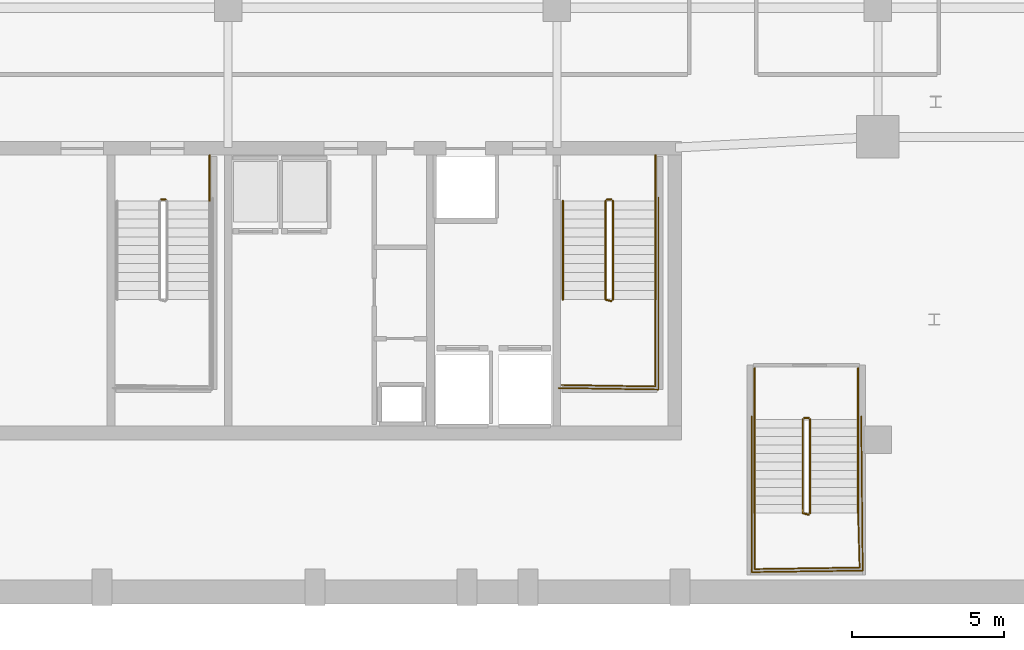
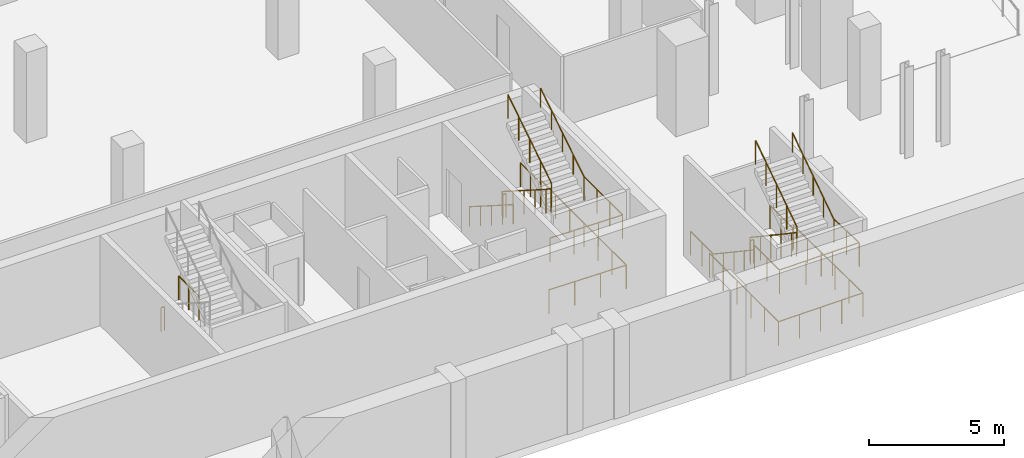
# One storey, part 15 of 18: 19 railings.
"""IFC4 building model written with IfcOpenShell, lengths in metres."""

import ifcopenshell
import ifcopenshell.guid

model = None  # the IFC model being written
_history = None  # IfcOwnerHistory: only IFC2X3 demands one
_inside = {}  # id of a spatial element -> (the spatial element, [elements in it])
_under = {}  # id of a project, library or spatial element -> (it, [spatial elements below it])
_declared = {}  # id of a project -> (the project, [libraries it declares])
_typed = {}  # id of a type object -> (the type object, [elements of that type])
_made_of = {}  # id of a material, layer set ... -> (it, [elements and type objects made of it])


def new_model(schema):
    """Start an empty IFC model of exactly this schema.

    Asked for "IFC4X3", IfcOpenShell would pick the latest addendum, in which some entities
    have other attributes; the version numbers below select the first issue.
    IFC2X3 requires an IfcOwnerHistory on every rooted entity: one is made here for all.
    """
    global model, _history
    if schema == "IFC4X3":
        model = ifcopenshell.file(schema_version=(4, 3, 0, 0))
    else:
        model = ifcopenshell.file(schema=schema)
    _inside.clear()
    _under.clear()
    _declared.clear()
    _typed.clear()
    _made_of.clear()
    _history = None
    if model.schema == "IFC2X3":
        org = make("IfcOrganization", Name="unknown")
        user = make(
            "IfcPersonAndOrganization",
            ThePerson=make("IfcPerson", FamilyName="unknown"),
            TheOrganization=org,
        )
        app = make(
            "IfcApplication",
            ApplicationDeveloper=org,
            Version="unknown",
            ApplicationFullName="unknown",
            ApplicationIdentifier="unknown",
        )
        _history = make(
            "IfcOwnerHistory",
            OwningUser=user,
            OwningApplication=app,
            ChangeAction="ADDED",
            CreationDate=0,
        )
    return model


def make(cls, **values):
    """One entity of the class cls with the attributes given. An attribute that is None is left unset."""
    return model.create_entity(
        cls, **{name: value for name, value in values.items() if value is not None}
    )


def rooted(cls, **values):
    """An entity with a GlobalId (a new one), such as an element, a storey or a relation."""
    return make(cls, GlobalId=ifcopenshell.guid.new(), OwnerHistory=_history, **values)


def si_unit(unit_type, name, prefix=None):
    """IfcSIUnit, for example si_unit("LENGTHUNIT", "METRE", prefix="MILLI")."""
    return make("IfcSIUnit", UnitType=unit_type, Prefix=prefix, Name=name)


def assignment(units):
    """IfcUnitAssignment: the units of a project."""
    return None if units is None else make("IfcUnitAssignment", Units=units)


def point(xyz):
    """IfcCartesianPoint."""
    return None if xyz is None else make("IfcCartesianPoint", Coordinates=xyz)


def direction(xyz):
    """IfcDirection."""
    return None if xyz is None else make("IfcDirection", DirectionRatios=xyz)


def frame(location, z_axis=None, x_axis=None):
    """IfcAxis2Placement3D, a coordinate frame: its origin and axes. An axis left out is left unset."""
    return make(
        "IfcAxis2Placement3D",
        Location=point(location),
        Axis=direction(z_axis),
        RefDirection=direction(x_axis),
    )


def frame_2d(location, x_axis=None):
    """IfcAxis2Placement2D, a coordinate frame in the plane: its origin and x axis."""
    return make(
        "IfcAxis2Placement2D", Location=point(location), RefDirection=direction(x_axis)
    )


def origin():
    """The frame at (0, 0, 0) with its axes left unset."""
    return frame((0.0, 0.0, 0.0))


def origin_2d():
    """The frame at (0, 0) in the plane with its x axis left unset."""
    return frame_2d((0.0, 0.0))


def place(relative_to, where):
    """IfcLocalPlacement: puts the frame where relative to a parent placement (None: the world)."""
    return make(
        "IfcLocalPlacement", PlacementRelTo=relative_to, RelativePlacement=where
    )


def context(
    kind, dimensions, precision=None, world=None, true_north=None, identifier=None
):
    """IfcGeometricRepresentationContext, for example the 3D "Model" context."""
    return make(
        "IfcGeometricRepresentationContext",
        ContextIdentifier=identifier,
        ContextType=kind,
        CoordinateSpaceDimension=dimensions,
        Precision=precision,
        WorldCoordinateSystem=world,
        TrueNorth=true_north,
    )


def subcontext(parent, identifier, kind, view, scale=None):
    """IfcGeometricRepresentationSubContext, for example "Body" below "Model"."""
    return make(
        "IfcGeometricRepresentationSubContext",
        ContextIdentifier=identifier,
        ContextType=kind,
        ParentContext=parent,
        TargetScale=scale,
        TargetView=view,
    )


def project(units=None, contexts=None):
    """IfcProject with its units and contexts."""
    return rooted(
        "IfcProject",
        Name="project",
        RepresentationContexts=contexts,
        UnitsInContext=assignment(units),
    )


def spatial(cls, under=None, at=None, **own):
    """A site, building, storey or space (cls), placed at a placement, below another one or the project."""
    s = rooted(cls, ObjectPlacement=at, **own)
    if under is not None:
        _under.setdefault(under.id(), (under, []))[1].append(s)
    return s


def profile(cls, at=None, kind="AREA", **sizes):
    """A parametric profile (cls). Its sizes go by their IFC names, for example OverallWidth=200.0."""
    return make(cls, ProfileType=kind, Position=at, **sizes)


def circle(**sizes):
    """IfcCircleProfileDef."""
    return profile("IfcCircleProfileDef", **sizes)


def extrude(swept, where, along, depth):
    """IfcExtrudedAreaSolid: the profile swept, set in the frame where, extruded along a direction by depth."""
    return make(
        "IfcExtrudedAreaSolid",
        SweptArea=swept,
        Position=where,
        ExtrudedDirection=direction(along),
        Depth=depth,
    )


def shape(context_of_items, identifier, shape_type, items):
    """IfcShapeRepresentation: the items that make up one representation, for example the "Body"."""
    return make(
        "IfcShapeRepresentation",
        ContextOfItems=context_of_items,
        RepresentationIdentifier=identifier,
        RepresentationType=shape_type,
        Items=items,
    )


def material(Name=None, Category=None):
    """IfcMaterial."""
    return make("IfcMaterial", Name=Name, Category=Category)


def layer(
    of_material, thickness, ventilated=None, Name=None, Category=None, Priority=None
):
    """IfcMaterialLayer: one layer of a wall or slab, of a material (None: an air gap)."""
    return make(
        "IfcMaterialLayer",
        Material=of_material,
        LayerThickness=thickness,
        IsVentilated=ventilated,
        Name=Name,
        Category=Category,
        Priority=Priority,
    )


def layer_set(layers, Name=None):
    """IfcMaterialLayerSet."""
    return make("IfcMaterialLayerSet", MaterialLayers=layers, LayerSetName=Name)


def made_of(thing, what):
    """Note that an element or type object is made of a material, layer set ...; save() writes the relation."""
    if what is not None:
        _made_of.setdefault(what.id(), (what, []))[1].append(thing)
    return thing


def type_object(cls, material=None, **own):
    """A type object (cls), such as IfcWallType, which elements share."""
    return made_of(rooted(cls, **own), material)


def element(
    cls,
    number,
    at=None,
    inside=None,
    cuts=None,
    type_object=None,
    material=None,
    context=None,
    identifier="Body",
    shape_type=None,
    held_by="IfcProductDefinitionShape",
    body=None,
    shapes=None,
    **own,
):
    """One element of the class cls, such as IfcWall. Its Tag is "e" and its number.

    at: its placement. inside: the storey or other place that contains it. cuts: it is an
    opening in that element (IfcRelVoidsElement). A single representation is given by context,
    identifier, shape_type and body (its items); several are given by shapes. held_by: the class
    of the entity that holds the representations. save() writes the other relations.
    """
    e = rooted(cls, Tag="e%d" % number, ObjectPlacement=at, **own)
    if body is not None:
        shapes = [shape(context, identifier, shape_type, body)]
    if shapes is not None:
        e.Representation = make(held_by, Representations=shapes)
    if inside is not None:
        _inside.setdefault(inside.id(), (inside, []))[1].append(e)
    if cuts is not None:
        rooted(
            "IfcRelVoidsElement", RelatingBuildingElement=cuts, RelatedOpeningElement=e
        )
    if type_object is not None:
        _typed.setdefault(type_object.id(), (type_object, []))[1].append(e)
    return made_of(e, material)


def aggregate(whole, parts):
    """IfcRelAggregates: a whole, such as a stair, and the parts it consists of."""
    return rooted("IfcRelAggregates", RelatingObject=whole, RelatedObjects=parts)


def save(model, path):
    """Write the relations noted so far, then the file.

    IfcRelAggregates (storeys below a building ...), IfcRelContainedInSpatialStructure (elements
    in a storey), IfcRelDefinesByType, IfcRelAssociatesMaterial and IfcRelDeclares: one each for
    every whole, place, type object, material and project.
    """
    for whole, parts in _under.values():
        aggregate(whole, parts)
    for where, things in _inside.values():
        rooted(
            "IfcRelContainedInSpatialStructure",
            RelatedElements=things,
            RelatingStructure=where,
        )
    for kind, things in _typed.values():
        rooted("IfcRelDefinesByType", RelatedObjects=things, RelatingType=kind)
    for what, things in _made_of.values():
        rooted("IfcRelAssociatesMaterial", RelatedObjects=things, RelatingMaterial=what)
    for by, libraries in _declared.values():
        rooted("IfcRelDeclares", RelatingContext=by, RelatedDefinitions=libraries)
    model.write(path)


model = new_model("IFC4")

# Units and contexts
model_context = context("Model", 3, precision=1e-05, world=origin(), true_north=direction((0.0, 1.0)))
body_context = subcontext(model_context, "Body", "Model", "MODEL_VIEW")
ifc_project = project(units=[si_unit("LENGTHUNIT", "METRE"), si_unit("AREAUNIT", "SQUARE_METRE"), si_unit("VOLUMEUNIT", "CUBIC_METRE"), si_unit("PLANEANGLEUNIT", "RADIAN"), si_unit("MASSUNIT", "GRAM", prefix="KILO")], contexts=[model_context])

# Site, building, storey
site_placement = place(None, origin())
site = spatial("IfcSite", under=ifc_project, at=site_placement, CompositionType="ELEMENT")
building_placement = place(site_placement, origin())
building = spatial("IfcBuilding", under=site, at=building_placement, Name="Ndaravel Arena Tower", CompositionType="ELEMENT")
storey_placement = place(building_placement, frame((0.0, 0.0, -4.5)))
storey = spatial("IfcBuildingStorey", under=building, at=storey_placement, Name="B01", CompositionType="ELEMENT", Elevation=-4.5)

# Railings
ifc_material_1 = material(Name="Steel S355", Category="steel")
ifc_layer_1 = layer(ifc_material_1, 0.06005859375)
ifc_layer_set_1 = layer_set([ifc_layer_1], Name="Steel S355")
railing_type_1 = type_object("IfcRailingType", Name="RAIL-STAIR-GD1100", PredefinedType="GUARDRAIL", material=ifc_layer_set_1)
railing_1_placement = place(storey_placement, frame((40.449951171875, 13.300048828125, 0.0)))
element("IfcRailing", 1, at=railing_1_placement, inside=storey, type_object=railing_type_1, Name="B01 ST-2 stair guard 4", PredefinedType="GUARDRAIL", context=body_context, shape_type="SweptSolid", body=[
    extrude(circle(Radius=0.02392578125, at=origin_2d()), frame((0.0, 0.0, 1.076171875), z_axis=(1.0, 0.0, 0.0), x_axis=(0.0, 1.0, 0.0)), (0.0, 0.0, 1.0), 0.14013671875),
    extrude(circle(Radius=0.02099609375, at=origin_2d()), origin(), (0.0, 0.0, 1.0), 1.052001953125),
    extrude(circle(Radius=0.02099609375, at=origin_2d()), frame((0.14013671875, 0.0, 0.0)), (0.0, 0.0, 1.0), 1.052001953125),
])
railing_2_placement = place(storey_placement, frame((42.0400390625, 14.75, 0.0)))
element("IfcRailing", 2, at=railing_2_placement, inside=storey, type_object=railing_type_1, Name="B01 ST-2 stair guard 5", PredefinedType="GUARDRAIL", context=body_context, shape_type="SweptSolid", body=[
    extrude(circle(Radius=0.02392578125, at=origin_2d()), frame((0.0, 0.0, 1.076171875), z_axis=(0.0, -1.0, 0.0), x_axis=(1.0, 0.0, 0.0)), (0.0, 0.0, 1.0), 1.5),
    extrude(circle(Radius=0.02099609375, at=origin_2d()), origin(), (0.0, 0.0, 1.0), 1.052001953125),
    extrude(circle(Radius=0.02099609375, at=origin_2d()), frame((0.0, -0.75, 0.0)), (0.0, 0.0, 1.0), 1.052001953125),
    extrude(circle(Radius=0.02099609375, at=origin_2d()), frame((0.0, -1.5, 0.0)), (0.0, 0.0, 1.0), 1.052001953125),
])
railing_3_placement = place(storey_placement, frame((55.050048828125, 13.25, 0.1875)))
element("IfcRailing", 3, at=railing_3_placement, inside=storey, type_object=railing_type_1, Name="B01 ST-3 stair guard 1", PredefinedType="GUARDRAIL", context=body_context, shape_type="SweptSolid", body=[
    extrude(circle(Radius=0.02392578125, at=origin_2d()), frame((0.0, 0.0, 1.076171875), z_axis=(0.0, -0.843964631203, 0.536398826693), x_axis=(1.0, 0.0, 0.0)), (0.0, 0.0, 1.0), 3.844970703125),
    extrude(circle(Radius=0.02392578125, at=origin_2d()), frame((0.0, -3.2451171875, 3.138671875), z_axis=(0.967299629482, -0.253636406702, 0.0), x_axis=(0.253636406702, 0.967299629482, 0.0)), (0.0, 0.0, 1.0), 0.1962890625),
    extrude(circle(Radius=0.02099609375, at=origin_2d()), origin(), (0.0, 0.0, 1.0), 1.052001953125),
    extrude(circle(Radius=0.02099609375, at=origin_2d()), frame((0.0, -0.811279296875, 0.515625)), (0.0, 0.0, 1.0), 1.052001953125),
    extrude(circle(Radius=0.02099609375, at=origin_2d()), frame((0.0, -1.62255859375, 1.03125)), (0.0, 0.0, 1.0), 1.052001953125),
    extrude(circle(Radius=0.02099609375, at=origin_2d()), frame((0.0, -2.433837890625, 1.546875)), (0.0, 0.0, 1.0), 1.052001953125),
    extrude(circle(Radius=0.02099609375, at=origin_2d()), frame((0.0, -3.2451171875, 2.0625)), (0.0, 0.0, 1.0), 1.052001953125),
    extrude(circle(Radius=0.02099609375, at=origin_2d()), frame((0.18994140625, -3.294921875, 2.0625)), (0.0, 0.0, 1.0), 1.052001953125),
])
railing_4_placement = place(storey_placement, frame((56.68994140625, 10.0048828125, 2.25)))
element("IfcRailing", 4, at=railing_4_placement, inside=storey, type_object=railing_type_1, Name="B01 ST-3 stair guard 2", PredefinedType="GUARDRAIL", context=body_context, shape_type="SweptSolid", body=[
    extrude(circle(Radius=0.02392578125, at=origin_2d()), frame((0.0, 0.0, 1.076171875), z_axis=(0.0, -1.0, 0.0), x_axis=(1.0, 0.0, 0.0)), (0.0, 0.0, 1.0), 2.85498046875),
    extrude(circle(Radius=0.02392578125, at=origin_2d()), frame((0.0, -2.85498046875, 1.076171875), z_axis=(-0.999868840623, 0.016195726322, 0.0), x_axis=(-0.016195726322, -0.999868840623, 0.0)), (0.0, 0.0, 1.0), 3.09033203125),
    extrude(circle(Radius=0.02099609375, at=origin_2d()), origin(), (0.0, 0.0, 1.0), 1.052001953125),
    extrude(circle(Radius=0.02099609375, at=origin_2d()), frame((0.0, -0.95166015625, 0.0)), (0.0, 0.0, 1.0), 1.052001953125),
    extrude(circle(Radius=0.02099609375, at=origin_2d()), frame((0.0, -1.9033203125, 0.0)), (0.0, 0.0, 1.0), 1.052001953125),
    extrude(circle(Radius=0.02099609375, at=origin_2d()), frame((0.0, -2.85498046875, 0.0)), (0.0, 0.0, 1.0), 1.052001953125),
    extrude(circle(Radius=0.02099609375, at=origin_2d()), frame((-1.030029296875, -2.83837890625, 0.0)), (0.0, 0.0, 1.0), 1.052001953125),
    extrude(circle(Radius=0.02099609375, at=origin_2d()), frame((-2.059814453125, -2.821533203125, 0.0)), (0.0, 0.0, 1.0), 1.052001953125),
    extrude(circle(Radius=0.02099609375, at=origin_2d()), frame((-3.08984375, -2.804931640625, 0.0)), (0.0, 0.0, 1.0), 1.052001953125),
])
railing_5_placement = place(storey_placement, frame((55.2900390625, 10.0048828125, 2.4375)))
element("IfcRailing", 5, at=railing_5_placement, inside=storey, type_object=railing_type_1, Name="B01 ST-3 stair guard 3", PredefinedType="GUARDRAIL", context=body_context, shape_type="SweptSolid", body=[
    extrude(circle(Radius=0.02392578125, at=origin_2d()), frame((0.0, 0.0, 1.076171875), z_axis=(0.0, 0.843964631203, 0.536398826693), x_axis=(-1.0, 0.0, 0.0)), (0.0, 0.0, 1.0), 3.844970703125),
    extrude(circle(Radius=0.02099609375, at=origin_2d()), origin(), (0.0, 0.0, 1.0), 1.052001953125),
    extrude(circle(Radius=0.02099609375, at=origin_2d()), frame((0.0, 0.811279296875, 0.515625)), (0.0, 0.0, 1.0), 1.052001953125),
    extrude(circle(Radius=0.02099609375, at=origin_2d()), frame((0.0, 1.62255859375, 1.03125)), (0.0, 0.0, 1.0), 1.052001953125),
    extrude(circle(Radius=0.02099609375, at=origin_2d()), frame((0.0, 2.433837890625, 1.546875)), (0.0, 0.0, 1.0), 1.052001953125),
    extrude(circle(Radius=0.02099609375, at=origin_2d()), frame((0.0, 3.2451171875, 2.0625)), (0.0, 0.0, 1.0), 1.052001953125),
])
railing_6_placement = place(storey_placement, frame((55.10009765625, 13.300048828125, 0.0)))
element("IfcRailing", 6, at=railing_6_placement, inside=storey, type_object=railing_type_1, Name="B01 ST-3 stair guard 4", PredefinedType="GUARDRAIL", context=body_context, shape_type="SweptSolid", body=[
    extrude(circle(Radius=0.02392578125, at=origin_2d()), frame((0.0, 0.0, 1.076171875), z_axis=(1.0, 0.0, 0.0), x_axis=(0.0, 1.0, 0.0)), (0.0, 0.0, 1.0), 0.139892578125),
    extrude(circle(Radius=0.02099609375, at=origin_2d()), origin(), (0.0, 0.0, 1.0), 1.052001953125),
    extrude(circle(Radius=0.02099609375, at=origin_2d()), frame((0.139892578125, 0.0, 0.0)), (0.0, 0.0, 1.0), 1.052001953125),
])
railing_7_placement = place(storey_placement, frame((56.68994140625, 14.75, 0.0)))
element("IfcRailing", 7, at=railing_7_placement, inside=storey, type_object=railing_type_1, Name="B01 ST-3 stair guard 5", PredefinedType="GUARDRAIL", context=body_context, shape_type="SweptSolid", body=[
    extrude(circle(Radius=0.02392578125, at=origin_2d()), frame((0.0, 0.0, 1.076171875), z_axis=(0.0, -1.0, 0.0), x_axis=(1.0, 0.0, 0.0)), (0.0, 0.0, 1.0), 1.5),
    extrude(circle(Radius=0.02099609375, at=origin_2d()), origin(), (0.0, 0.0, 1.0), 1.052001953125),
    extrude(circle(Radius=0.02099609375, at=origin_2d()), frame((0.0, -0.75, 0.0)), (0.0, 0.0, 1.0), 1.052001953125),
    extrude(circle(Radius=0.02099609375, at=origin_2d()), frame((0.0, -1.5, 0.0)), (0.0, 0.0, 1.0), 1.052001953125),
])
railing_8_placement = place(storey_placement, frame((56.7900390625, 13.35009765625, 0.0)))
element("IfcRailing", 8, at=railing_8_placement, inside=storey, type_object=railing_type_1, Name="B01 ST-3 stair guard 6", PredefinedType="GUARDRAIL", context=body_context, shape_type="SweptSolid", body=[
    extrude(circle(Radius=0.02392578125, at=origin_2d()), frame((0.0, 0.0, 1.076171875), z_axis=(0.0, -1.0, 0.0), x_axis=(1.0, 0.0, 0.0)), (0.0, 0.0, 1.0), 6.300048828125),
    extrude(circle(Radius=0.02392578125, at=origin_2d()), frame((0.0, -6.300048828125, 1.076171875), z_axis=(-0.99988431412, 0.015210469308, 0.0), x_axis=(-0.015210469308, -0.99988431412, 0.0)), (0.0, 0.0, 1.0), 3.29052734375),
    extrude(circle(Radius=0.02099609375, at=origin_2d()), origin(), (0.0, 0.0, 1.0), 1.052001953125),
    extrude(circle(Radius=0.02099609375, at=origin_2d()), frame((0.0, -1.050048828125, 0.0)), (0.0, 0.0, 1.0), 1.052001953125),
    extrude(circle(Radius=0.02099609375, at=origin_2d()), frame((0.0, -2.10009765625, 0.0)), (0.0, 0.0, 1.0), 1.052001953125),
    extrude(circle(Radius=0.02099609375, at=origin_2d()), frame((0.0, -3.14990234375, 0.0)), (0.0, 0.0, 1.0), 1.052001953125),
    extrude(circle(Radius=0.02099609375, at=origin_2d()), frame((0.0, -4.199951171875, 0.0)), (0.0, 0.0, 1.0), 1.052001953125),
    extrude(circle(Radius=0.02099609375, at=origin_2d()), frame((0.0, -5.25, 0.0)), (0.0, 0.0, 1.0), 1.052001953125),
    extrude(circle(Radius=0.02099609375, at=origin_2d()), frame((0.0, -6.300048828125, 0.0)), (0.0, 0.0, 1.0), 1.052001953125),
    extrude(circle(Radius=0.02099609375, at=origin_2d()), frame((-1.0966796875, -6.283447265625, 0.0)), (0.0, 0.0, 1.0), 1.052001953125),
    extrude(circle(Radius=0.02099609375, at=origin_2d()), frame((-2.193359375, -6.2666015625, 0.0)), (0.0, 0.0, 1.0), 1.052001953125),
    extrude(circle(Radius=0.02099609375, at=origin_2d()), frame((-3.2900390625, -6.25, 0.0)), (0.0, 0.0, 1.0), 1.052001953125),
])
railing_9_placement = place(storey_placement, frame((61.530029296875, 6.070068359375, 0.1875)))
element("IfcRailing", 9, at=railing_9_placement, inside=storey, type_object=railing_type_1, Name="B01 ST-B2 stair guard 1", PredefinedType="GUARDRAIL", context=body_context, shape_type="SweptSolid", body=[
    extrude(circle(Radius=0.02392578125, at=origin_2d()), frame((0.0, 0.0, 1.076171875), z_axis=(0.0, -0.830913701846, 0.55640131208), x_axis=(1.0, 0.0, 0.0)), (0.0, 0.0, 1.0), 3.706787109375),
    extrude(circle(Radius=0.02392578125, at=origin_2d()), frame((0.0, -3.080078125, 3.138671875), z_axis=(0.966993988697, -0.254799187253, 0.0), x_axis=(0.254799187253, 0.966993988697, 0.0)), (0.0, 0.0, 1.0), 0.196533203125),
    extrude(circle(Radius=0.02099609375, at=origin_2d()), origin(), (0.0, 0.0, 1.0), 1.052001953125),
    extrude(circle(Radius=0.02099609375, at=origin_2d()), frame((0.0, -0.77001953125, 0.515625)), (0.0, 0.0, 1.0), 1.052001953125),
    extrude(circle(Radius=0.02099609375, at=origin_2d()), frame((0.0, -1.5400390625, 1.03125)), (0.0, 0.0, 1.0), 1.052001953125),
    extrude(circle(Radius=0.02099609375, at=origin_2d()), frame((0.0, -2.31005859375, 1.546875)), (0.0, 0.0, 1.0), 1.052001953125),
    extrude(circle(Radius=0.02099609375, at=origin_2d()), frame((0.0, -3.080078125, 2.0625)), (0.0, 0.0, 1.0), 1.052001953125),
    extrude(circle(Radius=0.02099609375, at=origin_2d()), frame((0.18994140625, -3.130126953125, 2.0625)), (0.0, 0.0, 1.0), 1.052001953125),
])
railing_10_placement = place(storey_placement, frame((59.949951171875, 2.989990234375, 2.25)))
element("IfcRailing", 10, at=railing_10_placement, inside=storey, type_object=railing_type_1, Name="B01 ST-B2 stair guard 2", PredefinedType="GUARDRAIL", context=body_context, shape_type="SweptSolid", body=[
    extrude(circle(Radius=0.02392578125, at=origin_2d()), frame((0.0, 0.0, 1.076171875), z_axis=(0.0, -1.0, 0.0), x_axis=(1.0, 0.0, 0.0)), (0.0, 0.0, 1.0), 1.840087890625),
    extrude(circle(Radius=0.02392578125, at=origin_2d()), frame((0.0, -1.840087890625, 1.076171875), z_axis=(0.999894788457, 0.014505585708, 0.0), x_axis=(-0.014505585708, 0.999894788457, 0.0)), (0.0, 0.0, 1.0), 3.4501953125),
    extrude(circle(Radius=0.02392578125, at=origin_2d()), frame((3.449951171875, -1.7900390625, 1.076171875), z_axis=(-0.027812477397, 0.999613158227, 0.0), x_axis=(-0.999613158227, -0.027812477397, 0.0)), (0.0, 0.0, 1.0), 1.790771484375),
    extrude(circle(Radius=0.02099609375, at=origin_2d()), origin(), (0.0, 0.0, 1.0), 1.052001953125),
    extrude(circle(Radius=0.02099609375, at=origin_2d()), frame((0.0, -0.919921875, 0.0)), (0.0, 0.0, 1.0), 1.052001953125),
    extrude(circle(Radius=0.02099609375, at=origin_2d()), frame((0.0, -1.840087890625, 0.0)), (0.0, 0.0, 1.0), 1.052001953125),
    extrude(circle(Radius=0.02099609375, at=origin_2d()), frame((1.14990234375, -1.823486328125, 0.0)), (0.0, 0.0, 1.0), 1.052001953125),
    extrude(circle(Radius=0.02099609375, at=origin_2d()), frame((2.300048828125, -1.806640625, 0.0)), (0.0, 0.0, 1.0), 1.052001953125),
    extrude(circle(Radius=0.02099609375, at=origin_2d()), frame((3.449951171875, -1.7900390625, 0.0)), (0.0, 0.0, 1.0), 1.052001953125),
    extrude(circle(Radius=0.02099609375, at=origin_2d()), frame((3.425048828125, -0.89501953125, 0.0)), (0.0, 0.0, 1.0), 1.052001953125),
    extrude(circle(Radius=0.02099609375, at=origin_2d()), frame((3.400146484375, 0.0, 0.0)), (0.0, 0.0, 1.0), 1.052001953125),
])
railing_11_placement = place(storey_placement, frame((61.77001953125, 2.989990234375, 2.4375)))
element("IfcRailing", 11, at=railing_11_placement, inside=storey, type_object=railing_type_1, Name="B01 ST-B2 stair guard 3", PredefinedType="GUARDRAIL", context=body_context, shape_type="SweptSolid", body=[
    extrude(circle(Radius=0.02392578125, at=origin_2d()), frame((0.0, 0.0, 1.076171875), z_axis=(0.0, 0.830913701846, 0.55640131208), x_axis=(-1.0, 0.0, 0.0)), (0.0, 0.0, 1.0), 3.706787109375),
    extrude(circle(Radius=0.02099609375, at=origin_2d()), origin(), (0.0, 0.0, 1.0), 1.052001953125),
    extrude(circle(Radius=0.02099609375, at=origin_2d()), frame((0.0, 0.77001953125, 0.515625)), (0.0, 0.0, 1.0), 1.052001953125),
    extrude(circle(Radius=0.02099609375, at=origin_2d()), frame((0.0, 1.5400390625, 1.03125)), (0.0, 0.0, 1.0), 1.052001953125),
    extrude(circle(Radius=0.02099609375, at=origin_2d()), frame((0.0, 2.31005859375, 1.546875)), (0.0, 0.0, 1.0), 1.052001953125),
    extrude(circle(Radius=0.02099609375, at=origin_2d()), frame((0.0, 3.080078125, 2.0625)), (0.0, 0.0, 1.0), 1.052001953125),
])
railing_12_placement = place(storey_placement, frame((61.580078125, 6.1201171875, 0.0)))
element("IfcRailing", 12, at=railing_12_placement, inside=storey, type_object=railing_type_1, Name="B01 ST-B2 stair guard 4", PredefinedType="GUARDRAIL", context=body_context, shape_type="SweptSolid", body=[
    extrude(circle(Radius=0.02392578125, at=origin_2d()), frame((0.0, 0.0, 1.076171875), z_axis=(1.0, 0.0, 0.0), x_axis=(0.0, 1.0, 0.0)), (0.0, 0.0, 1.0), 0.139892578125),
    extrude(circle(Radius=0.02099609375, at=origin_2d()), origin(), (0.0, 0.0, 1.0), 1.052001953125),
    extrude(circle(Radius=0.02099609375, at=origin_2d()), frame((0.139892578125, 0.0, 0.0)), (0.0, 0.0, 1.0), 1.052001953125),
])
for number, where, name in (
    (13, (59.949951171875, 7.75, 0.0), "B01 ST-B2 stair guard 5"),
    (14, (63.35009765625, 7.75, 0.0), "B01 ST-B2 stair guard 6"),
):
    element("IfcRailing", number, at=place(storey_placement, frame(where)), inside=storey, type_object=railing_type_1, Name=name, PredefinedType="GUARDRAIL", context=body_context, shape_type="SweptSolid", body=[
        extrude(circle(Radius=0.02392578125, at=origin_2d()), frame((0.0, 0.0, 1.076171875), z_axis=(0.0, -1.0, 0.0), x_axis=(1.0, 0.0, 0.0)), (0.0, 0.0, 1.0), 1.679931640625),
        extrude(circle(Radius=0.02099609375, at=origin_2d()), origin(), (0.0, 0.0, 1.0), 1.052001953125),
        extrude(circle(Radius=0.02099609375, at=origin_2d()), frame((0.0, -0.83984375, 0.0)), (0.0, 0.0, 1.0), 1.052001953125),
        extrude(circle(Radius=0.02099609375, at=origin_2d()), frame((0.0, -1.679931640625, 0.0)), (0.0, 0.0, 1.0), 1.052001953125),
    ])
railing_13_placement = place(storey_placement, frame((59.85009765625, 6.169921875, 0.0)))
element("IfcRailing", 15, at=railing_13_placement, inside=storey, type_object=railing_type_1, Name="B01 ST-B2 stair guard 7", PredefinedType="GUARDRAIL", context=body_context, shape_type="SweptSolid", body=[
    extrude(circle(Radius=0.02392578125, at=origin_2d()), frame((0.0, 0.0, 1.076171875), z_axis=(0.0, -1.0, 0.0), x_axis=(1.0, 0.0, 0.0)), (0.0, 0.0, 1.0), 5.119873046875),
    extrude(circle(Radius=0.02392578125, at=origin_2d()), frame((0.0, -5.119873046875, 1.076171875), z_axis=(0.999905998648, 0.0137110856, 0.0), x_axis=(-0.0137110856, 0.999905998648, 0.0)), (0.0, 0.0, 1.0), 3.650146484375),
    extrude(circle(Radius=0.02392578125, at=origin_2d()), frame((3.64990234375, -5.06982421875, 1.076171875), z_axis=(-0.009871425004, 0.999951276297, 0.0), x_axis=(-0.999951276297, -0.009871425004, 0.0)), (0.0, 0.0, 1.0), 5.070068359375),
    extrude(circle(Radius=0.02099609375, at=origin_2d()), origin(), (0.0, 0.0, 1.0), 1.052001953125),
    extrude(circle(Radius=0.02099609375, at=origin_2d()), frame((0.0, -1.02392578125, 0.0)), (0.0, 0.0, 1.0), 1.052001953125),
    extrude(circle(Radius=0.02099609375, at=origin_2d()), frame((0.0, -2.0478515625, 0.0)), (0.0, 0.0, 1.0), 1.052001953125),
    extrude(circle(Radius=0.02099609375, at=origin_2d()), frame((0.0, -3.072021484375, 0.0)), (0.0, 0.0, 1.0), 1.052001953125),
    extrude(circle(Radius=0.02099609375, at=origin_2d()), frame((0.0, -4.095947265625, 0.0)), (0.0, 0.0, 1.0), 1.052001953125),
    extrude(circle(Radius=0.02099609375, at=origin_2d()), frame((0.0, -5.119873046875, 0.0)), (0.0, 0.0, 1.0), 1.052001953125),
    extrude(circle(Radius=0.02099609375, at=origin_2d()), frame((0.91259765625, -5.107421875, 0.0)), (0.0, 0.0, 1.0), 1.052001953125),
    extrude(circle(Radius=0.02099609375, at=origin_2d()), frame((1.824951171875, -5.0947265625, 0.0)), (0.0, 0.0, 1.0), 1.052001953125),
    extrude(circle(Radius=0.02099609375, at=origin_2d()), frame((2.7373046875, -5.082275390625, 0.0)), (0.0, 0.0, 1.0), 1.052001953125),
    extrude(circle(Radius=0.02099609375, at=origin_2d()), frame((3.64990234375, -5.06982421875, 0.0)), (0.0, 0.0, 1.0), 1.052001953125),
    extrude(circle(Radius=0.02099609375, at=origin_2d()), frame((3.639892578125, -4.055908203125, 0.0)), (0.0, 0.0, 1.0), 1.052001953125),
    extrude(circle(Radius=0.02099609375, at=origin_2d()), frame((3.6298828125, -3.0419921875, 0.0)), (0.0, 0.0, 1.0), 1.052001953125),
    extrude(circle(Radius=0.02099609375, at=origin_2d()), frame((3.619873046875, -2.02783203125, 0.0)), (0.0, 0.0, 1.0), 1.052001953125),
    extrude(circle(Radius=0.02099609375, at=origin_2d()), frame((3.60986328125, -1.013916015625, 0.0)), (0.0, 0.0, 1.0), 1.052001953125),
    extrude(circle(Radius=0.02099609375, at=origin_2d()), frame((3.599853515625, 0.0, 0.0)), (0.0, 0.0, 1.0), 1.052001953125),
])
ifc_material_2 = material(Name="Steel S355", Category="steel")
ifc_layer_2 = layer(ifc_material_2, 0.050048828125)
ifc_layer_set_2 = layer_set([ifc_layer_2], Name="Steel S355")
railing_type_2 = type_object("IfcRailingType", Name="RAIL-STAIR-HR920", PredefinedType="HANDRAIL", material=ifc_layer_set_2)
railing_14_placement = place(storey_placement, frame((53.64990234375, 13.25, 0.1875)))
element("IfcRailing", 16, at=railing_14_placement, inside=storey, type_object=railing_type_2, Name="B01 ST-3 stair handrail 1", PredefinedType="HANDRAIL", context=body_context, shape_type="SweptSolid", body=[
    extrude(circle(Radius=0.02392578125, at=origin_2d()), frame((0.0, 0.0, 0.8759765625), z_axis=(0.0, -0.843964631203, 0.536398826693), x_axis=(1.0, 0.0, 0.0)), (0.0, 0.0, 1.0), 3.844970703125),
    extrude(circle(Radius=0.02099609375, at=origin_2d()), origin(), (0.0, 0.0, 1.0), 0.851806640625),
    extrude(circle(Radius=0.02099609375, at=origin_2d()), frame((0.0, -0.811279296875, 0.515625)), (0.0, 0.0, 1.0), 0.851806640625),
    extrude(circle(Radius=0.02099609375, at=origin_2d()), frame((0.0, -1.62255859375, 1.03125)), (0.0, 0.0, 1.0), 0.851806640625),
    extrude(circle(Radius=0.02099609375, at=origin_2d()), frame((0.0, -2.433837890625, 1.546875)), (0.0, 0.0, 1.0), 0.851806640625),
    extrude(circle(Radius=0.02099609375, at=origin_2d()), frame((0.0, -3.2451171875, 2.0625)), (0.0, 0.0, 1.0), 0.851806640625),
])
railing_15_placement = place(storey_placement, frame((56.68994140625, 10.0048828125, 2.4375)))
element("IfcRailing", 17, at=railing_15_placement, inside=storey, type_object=railing_type_2, Name="B01 ST-3 stair handrail 2", PredefinedType="HANDRAIL", context=body_context, shape_type="SweptSolid", body=[
    extrude(circle(Radius=0.02392578125, at=origin_2d()), frame((0.0, 0.0, 0.8759765625), z_axis=(0.0, 0.843964631203, 0.536398826693), x_axis=(-1.0, 0.0, 0.0)), (0.0, 0.0, 1.0), 3.844970703125),
    extrude(circle(Radius=0.02099609375, at=origin_2d()), origin(), (0.0, 0.0, 1.0), 0.851806640625),
    extrude(circle(Radius=0.02099609375, at=origin_2d()), frame((0.0, 0.811279296875, 0.515625)), (0.0, 0.0, 1.0), 0.851806640625),
    extrude(circle(Radius=0.02099609375, at=origin_2d()), frame((0.0, 1.62255859375, 1.03125)), (0.0, 0.0, 1.0), 0.851806640625),
    extrude(circle(Radius=0.02099609375, at=origin_2d()), frame((0.0, 2.433837890625, 1.546875)), (0.0, 0.0, 1.0), 0.851806640625),
    extrude(circle(Radius=0.02099609375, at=origin_2d()), frame((0.0, 3.2451171875, 2.0625)), (0.0, 0.0, 1.0), 0.851806640625),
])
railing_16_placement = place(storey_placement, frame((59.949951171875, 6.070068359375, 0.1875)))
element("IfcRailing", 18, at=railing_16_placement, inside=storey, type_object=railing_type_2, Name="B01 ST-B2 stair handrail 1", PredefinedType="HANDRAIL", context=body_context, shape_type="SweptSolid", body=[
    extrude(circle(Radius=0.02392578125, at=origin_2d()), frame((0.0, 0.0, 0.8759765625), z_axis=(0.0, -0.830913701846, 0.55640131208), x_axis=(1.0, 0.0, 0.0)), (0.0, 0.0, 1.0), 3.706787109375),
    extrude(circle(Radius=0.02099609375, at=origin_2d()), origin(), (0.0, 0.0, 1.0), 0.851806640625),
    extrude(circle(Radius=0.02099609375, at=origin_2d()), frame((0.0, -0.77001953125, 0.515625)), (0.0, 0.0, 1.0), 0.851806640625),
    extrude(circle(Radius=0.02099609375, at=origin_2d()), frame((0.0, -1.5400390625, 1.03125)), (0.0, 0.0, 1.0), 0.851806640625),
    extrude(circle(Radius=0.02099609375, at=origin_2d()), frame((0.0, -2.31005859375, 1.546875)), (0.0, 0.0, 1.0), 0.851806640625),
    extrude(circle(Radius=0.02099609375, at=origin_2d()), frame((0.0, -3.080078125, 2.0625)), (0.0, 0.0, 1.0), 0.851806640625),
])
railing_17_placement = place(storey_placement, frame((63.35009765625, 2.989990234375, 2.4375)))
element("IfcRailing", 19, at=railing_17_placement, inside=storey, type_object=railing_type_2, Name="B01 ST-B2 stair handrail 2", PredefinedType="HANDRAIL", context=body_context, shape_type="SweptSolid", body=[
    extrude(circle(Radius=0.02392578125, at=origin_2d()), frame((0.0, 0.0, 0.8759765625), z_axis=(0.0, 0.830913701846, 0.55640131208), x_axis=(-1.0, 0.0, 0.0)), (0.0, 0.0, 1.0), 3.706787109375),
    extrude(circle(Radius=0.02099609375, at=origin_2d()), origin(), (0.0, 0.0, 1.0), 0.851806640625),
    extrude(circle(Radius=0.02099609375, at=origin_2d()), frame((0.0, 0.77001953125, 0.515625)), (0.0, 0.0, 1.0), 0.851806640625),
    extrude(circle(Radius=0.02099609375, at=origin_2d()), frame((0.0, 1.5400390625, 1.03125)), (0.0, 0.0, 1.0), 0.851806640625),
    extrude(circle(Radius=0.02099609375, at=origin_2d()), frame((0.0, 2.31005859375, 1.546875)), (0.0, 0.0, 1.0), 0.851806640625),
    extrude(circle(Radius=0.02099609375, at=origin_2d()), frame((0.0, 3.080078125, 2.0625)), (0.0, 0.0, 1.0), 0.851806640625),
])

save(model, "model.ifc")
